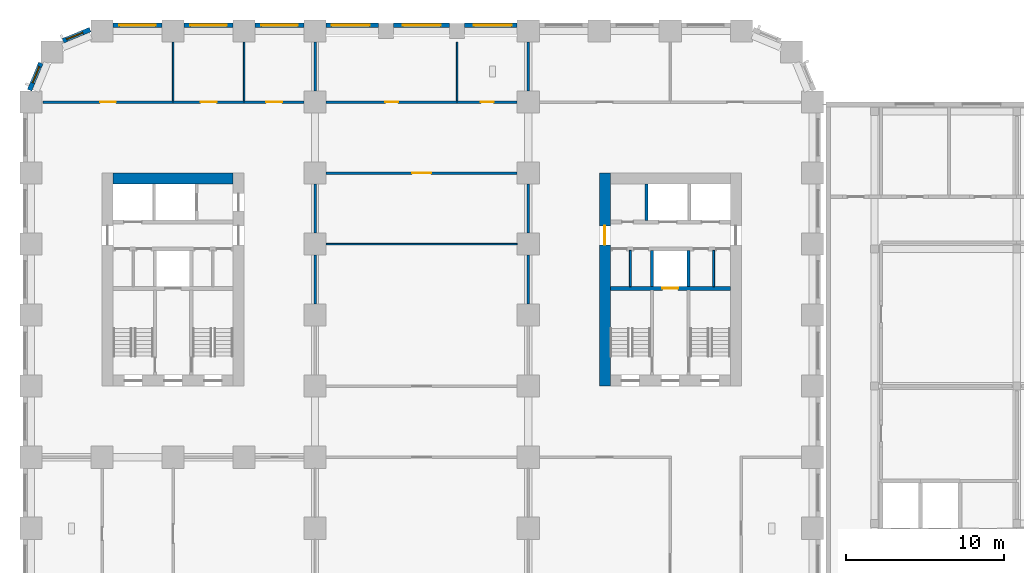
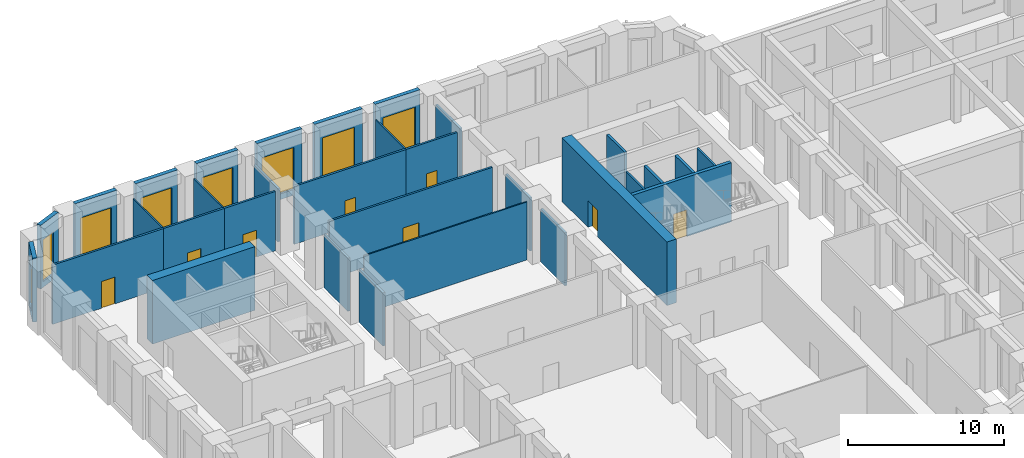
# One storey, part 7 of 19: 32 walls, 8 doors, 8 windows, 16 openings.
"""IFC4 building model written with IfcOpenShell, lengths in metres."""

from ifc_helpers import new_model, si_unit, direction, frame, frame_2d, origin, place, context, subcontext, project, spatial, rectangle, extrude, material, layer, layer_set, type_object, element, fill, save


model = new_model("IFC4")

# Units and contexts
model_context = context("Model", 3, precision=1e-05, world=origin(), true_north=direction((0.0, 1.0)))
body_context = subcontext(model_context, "Body", "Model", "MODEL_VIEW")
ifc_project = project(units=[si_unit("LENGTHUNIT", "METRE"), si_unit("AREAUNIT", "SQUARE_METRE"), si_unit("VOLUMEUNIT", "CUBIC_METRE"), si_unit("PLANEANGLEUNIT", "RADIAN"), si_unit("MASSUNIT", "GRAM", prefix="KILO")], contexts=[model_context])

# Site, building, storey
site_placement = place(None, origin())
site = spatial("IfcSite", under=ifc_project, at=site_placement, CompositionType="ELEMENT")
building_placement = place(site_placement, origin())
building = spatial("IfcBuilding", under=site, at=building_placement, Name="Girih Gate Residences", CompositionType="ELEMENT")
storey_placement = place(building_placement, frame((0.0, 0.0, 21.0)))
storey = spatial("IfcBuildingStorey", under=building, at=storey_placement, Name="L04", CompositionType="ELEMENT", Elevation=21.0)

# Walls
ifc_material_1 = material(Name="Gypsum board on steel studs", Category="steel")
ifc_layer_1 = layer(ifc_material_1, 0.14990234375)
ifc_layer_set_1 = layer_set([ifc_layer_1], Name="Compartment wall 150 mm")
wall_type_1 = type_object("IfcWallType", Name="Compartment wall 150 mm", PredefinedType="PARTITIONING", material=ifc_layer_set_1)
for number, where, z_axis, x_axis, name in (
    (1, (31.5, 32.199951171875, 0.0), (0.0, 0.0, 1.0), (0.0, 1.0, 0.0), "L04 partition"),
    (2, (18.0, 32.199951171875, 0.0), (0.0, 0.0, 1.0), (0.0, 1.0, 0.0), "L04 partition"),
):
    element("IfcWall", number, at=place(storey_placement, frame(where, z_axis=z_axis, x_axis=x_axis)), inside=storey, type_object=wall_type_1, Name=name, PredefinedType="PARTITIONING", context=body_context, shape_type="SweptSolid", body=[
        extrude(rectangle(XDim=3.10009765625, YDim=0.14990234375, at=frame_2d((1.550048828125, 0.0))), origin(), (0.0, 0.0, 1.0), 4.179931640625),
    ])

# Wall, opening, door
wall_1_placement = place(storey_placement, frame((30.800048828125, 40.5, 0.0), z_axis=(0.0, 0.0, 1.0), x_axis=(-1.0, 0.0, 0.0)))
wall_1 = element("IfcWall", 3, at=wall_1_placement, inside=storey, type_object=wall_type_1, Name="L04 partition", PredefinedType="PARTITIONING", context=body_context, shape_type="SweptSolid", body=[
    extrude(rectangle(XDim=12.10009765625, YDim=0.14990234375, at=frame_2d((6.050048828125, 0.0))), origin(), (0.0, 0.0, 1.0), 4.550048828125),
])
opening_1_placement = place(wall_1_placement, frame((5.449951171875, 0.0, 0.0)))
opening_1 = element("IfcOpeningElement", 4, at=opening_1_placement, cuts=wall_1, Name="Opening D-L04-S-003", PredefinedType="OPENING", context=body_context, shape_type="SweptSolid", body=[
    extrude(rectangle(XDim=1.199951171875, YDim=2.10009765625, at=frame_2d((0.60009765625, 1.050048828125))), frame((0.0, 0.0849609375, 0.0), z_axis=(0.0, -1.0, 0.0), x_axis=(1.0, 0.0, 0.0)), (0.0, 0.0, 1.0), 0.169921875),
])
ifc_material_2 = material(Name="Timber, fire-rated core", Category="wood")
door_type_1 = type_object("IfcDoorType", Name="Gallery fire door 1200x2100 FD30S", OperationType="SINGLE_SWING_LEFT", PredefinedType="DOOR", material=ifc_material_2)
door_1_placement = place(opening_1_placement, origin())
door_1 = element("IfcDoor", 5, at=door_1_placement, inside=storey, type_object=door_type_1, Name="Door L04-003", OperationType="SINGLE_SWING_RIGHT", OverallHeight=2.10009765625, OverallWidth=1.199951171875, PredefinedType="DOOR", context=body_context, shape_type="SweptSolid", body=[
    extrude(rectangle(XDim=1.199951171875, YDim=2.10009765625, at=frame_2d((0.60009765625, 1.050048828125))), frame((0.0, 0.02490234375, 0.0), z_axis=(0.0, -1.0, 0.0), x_axis=(1.0, 0.0, 0.0)), (0.0, 0.0, 1.0), 0.050048828125),
])
fill(opening_1, door_1)

# Walls
for number, where, z_axis, x_axis, name in (
    (6, (31.5, 36.699951171875, 0.0), (0.0, 0.0, 1.0), (0.0, 1.0, 0.0), "L04 partition"),
    (7, (18.0, 36.699951171875, 0.0), (0.0, 0.0, 1.0), (0.0, 1.0, 0.0), "L04 partition"),
):
    element("IfcWall", number, at=place(storey_placement, frame(where, z_axis=z_axis, x_axis=x_axis)), inside=storey, type_object=wall_type_1, Name=name, PredefinedType="PARTITIONING", context=body_context, shape_type="SweptSolid", body=[
        extrude(rectangle(XDim=3.10009765625, YDim=0.14990234375, at=frame_2d((1.550048828125, 0.0))), origin(), (0.0, 0.0, 1.0), 4.179931640625),
    ])

# Wall, opening, door
wall_2_placement = place(storey_placement, frame((18.699951171875, 45.0, 0.0), z_axis=(0.0, 0.0, 1.0), x_axis=(1.0, 0.0, 0.0)))
wall_2 = element("IfcWall", 8, at=wall_2_placement, inside=storey, type_object=wall_type_1, Name="L04 partition", PredefinedType="PARTITIONING", context=body_context, shape_type="SweptSolid", body=[
    extrude(rectangle(XDim=8.300048828125, YDim=0.14990234375, at=frame_2d((4.14990234375, 0.0))), origin(), (0.0, 0.0, 1.0), 4.550048828125),
])
opening_2_placement = place(wall_2_placement, frame((3.75, 0.0, 0.0)))
opening_2 = element("IfcOpeningElement", 9, at=opening_2_placement, cuts=wall_2, Name="Opening D-L04-S-004", PredefinedType="OPENING", context=body_context, shape_type="SweptSolid", body=[
    extrude(rectangle(XDim=0.800048828125, YDim=2.10009765625, at=frame_2d((0.39990234375, 1.050048828125))), frame((0.0, 0.0849609375, 0.0), z_axis=(0.0, -1.0, 0.0), x_axis=(1.0, 0.0, 0.0)), (0.0, 0.0, 1.0), 0.169921875),
])
ifc_material_3 = material(Name="Timber", Category="wood")
door_type_2 = type_object("IfcDoorType", Name="WC and store door 800x2100", OperationType="SINGLE_SWING_LEFT", PredefinedType="DOOR", material=ifc_material_3)
door_2_placement = place(opening_2_placement, origin())
door_2 = element("IfcDoor", 10, at=door_2_placement, inside=storey, type_object=door_type_2, Name="Door L04-004", OperationType="SINGLE_SWING_LEFT", OverallHeight=2.10009765625, OverallWidth=0.800048828125, PredefinedType="DOOR", context=body_context, shape_type="SweptSolid", body=[
    extrude(rectangle(XDim=0.800048828125, YDim=2.10009765625, at=frame_2d((0.39990234375, 1.050048828125))), frame((0.0, 0.02490234375, 0.0), z_axis=(0.0, -1.0, 0.0), x_axis=(1.0, 0.0, 0.0)), (0.0, 0.0, 1.0), 0.050048828125),
])
fill(opening_2, door_2)

# Wall
wall_3_placement = place(storey_placement, frame((18.0, 45.699951171875, 0.0), z_axis=(0.0, 0.0, 1.0), x_axis=(0.0, 1.0, 0.0)))
element("IfcWall", 11, at=wall_3_placement, inside=storey, type_object=wall_type_1, Name="L04 partition", PredefinedType="PARTITIONING", context=body_context, shape_type="SweptSolid", body=[
    extrude(rectangle(XDim=3.10009765625, YDim=0.14990234375, at=frame_2d((1.550048828125, 0.0))), origin(), (0.0, 0.0, 1.0), 4.179931640625),
])

# Wall, opening, door
wall_4_placement = place(storey_placement, frame((27.0, 45.0, 0.0), z_axis=(0.0, 0.0, 1.0), x_axis=(1.0, 0.0, 0.0)))
wall_4 = element("IfcWall", 12, at=wall_4_placement, inside=storey, type_object=wall_type_1, Name="L04 partition", PredefinedType="PARTITIONING", context=body_context, shape_type="SweptSolid", body=[
    extrude(rectangle(XDim=3.800048828125, YDim=0.14990234375, at=frame_2d((1.89990234375, 0.0))), origin(), (0.0, 0.0, 1.0), 4.550048828125),
])
opening_3_placement = place(wall_4_placement, frame((1.5, 0.0, 0.0)))
opening_3 = element("IfcOpeningElement", 13, at=opening_3_placement, cuts=wall_4, Name="Opening D-L04-S-005", PredefinedType="OPENING", context=body_context, shape_type="SweptSolid", body=[
    extrude(rectangle(XDim=0.800048828125, YDim=2.10009765625, at=frame_2d((0.39990234375, 1.050048828125))), frame((0.0, 0.0849609375, 0.0), z_axis=(0.0, -1.0, 0.0), x_axis=(1.0, 0.0, 0.0)), (0.0, 0.0, 1.0), 0.169921875),
])
door_3_placement = place(opening_3_placement, origin())
door_3 = element("IfcDoor", 14, at=door_3_placement, inside=storey, type_object=door_type_2, Name="Door L04-005", OperationType="SINGLE_SWING_RIGHT", OverallHeight=2.10009765625, OverallWidth=0.800048828125, PredefinedType="DOOR", context=body_context, shape_type="SweptSolid", body=[
    extrude(rectangle(XDim=0.800048828125, YDim=2.10009765625, at=frame_2d((0.39990234375, 1.050048828125))), frame((0.0, 0.02490234375, 0.0), z_axis=(0.0, -1.0, 0.0), x_axis=(1.0, 0.0, 0.0)), (0.0, 0.0, 1.0), 0.050048828125),
])
fill(opening_3, door_3)

# Wall
wall_5_placement = place(storey_placement, frame((31.5, 45.699951171875, 0.0), z_axis=(0.0, 0.0, 1.0), x_axis=(0.0, 1.0, 0.0)))
element("IfcWall", 15, at=wall_5_placement, inside=storey, type_object=wall_type_1, Name="L04 partition", PredefinedType="PARTITIONING", context=body_context, shape_type="SweptSolid", body=[
    extrude(rectangle(XDim=3.10009765625, YDim=0.14990234375, at=frame_2d((1.550048828125, 0.0))), origin(), (0.0, 0.0, 1.0), 4.179931640625),
])

# Wall, opening, door
wall_6_placement = place(storey_placement, frame((0.757568359375, 45.0, 0.0), z_axis=(0.0, 0.0, 1.0), x_axis=(1.0, 0.0, 0.0)))
wall_6 = element("IfcWall", 16, at=wall_6_placement, inside=storey, type_object=wall_type_1, Name="L04 partition", PredefinedType="PARTITIONING", context=body_context, shape_type="SweptSolid", body=[
    extrude(rectangle(XDim=8.242431640625, YDim=0.14990234375, at=frame_2d((4.12109375, 0.0))), origin(), (0.0, 0.0, 1.0), 4.64990234375),
])
opening_4_placement = place(wall_6_placement, frame((3.62109375, 0.0, 0.0)))
opening_4 = element("IfcOpeningElement", 17, at=opening_4_placement, cuts=wall_6, Name="Opening D-L04-S-015", PredefinedType="OPENING", context=body_context, shape_type="SweptSolid", body=[
    extrude(rectangle(XDim=1.0, YDim=2.10009765625, at=frame_2d((0.5, 1.050048828125))), frame((0.0, 0.0849609375, 0.0), z_axis=(0.0, -1.0, 0.0), x_axis=(1.0, 0.0, 0.0)), (0.0, 0.0, 1.0), 0.169921875),
])
door_type_3 = type_object("IfcDoorType", Name="Amenity door 1000x2100 FD30S", OperationType="SINGLE_SWING_LEFT", PredefinedType="DOOR", material=ifc_material_2)
door_4_placement = place(opening_4_placement, origin())
door_4 = element("IfcDoor", 18, at=door_4_placement, inside=storey, type_object=door_type_3, Name="Door L04-015", OperationType="SINGLE_SWING_RIGHT", OverallHeight=2.10009765625, OverallWidth=1.0, PredefinedType="DOOR", context=body_context, shape_type="SweptSolid", body=[
    extrude(rectangle(XDim=1.0, YDim=2.10009765625, at=frame_2d((0.5, 1.050048828125))), frame((0.0, 0.02490234375, 0.0), z_axis=(0.0, -1.0, 0.0), x_axis=(1.0, 0.0, 0.0)), (0.0, 0.0, 1.0), 0.050048828125),
])
fill(opening_4, door_4)

wall_7_placement = place(storey_placement, frame((9.0, 45.0, 0.0), z_axis=(0.0, 0.0, 1.0), x_axis=(1.0, 0.0, 0.0)))
wall_7 = element("IfcWall", 19, at=wall_7_placement, inside=storey, type_object=wall_type_1, Name="L04 partition", PredefinedType="PARTITIONING", context=body_context, shape_type="SweptSolid", body=[
    extrude(rectangle(XDim=4.5, YDim=0.14990234375, at=frame_2d((2.25, 0.0))), origin(), (0.0, 0.0, 1.0), 4.64990234375),
])
opening_5_placement = place(wall_7_placement, frame((1.75, 0.0, 0.0)))
opening_5 = element("IfcOpeningElement", 20, at=opening_5_placement, cuts=wall_7, Name="Opening D-L04-S-016", PredefinedType="OPENING", context=body_context, shape_type="SweptSolid", body=[
    extrude(rectangle(XDim=1.0, YDim=2.10009765625, at=frame_2d((0.5, 1.050048828125))), frame((0.0, 0.0849609375, 0.0), z_axis=(0.0, -1.0, 0.0), x_axis=(1.0, 0.0, 0.0)), (0.0, 0.0, 1.0), 0.169921875),
])
door_5_placement = place(opening_5_placement, origin())
door_5 = element("IfcDoor", 21, at=door_5_placement, inside=storey, type_object=door_type_3, Name="Door L04-016", OperationType="SINGLE_SWING_RIGHT", OverallHeight=2.10009765625, OverallWidth=1.0, PredefinedType="DOOR", context=body_context, shape_type="SweptSolid", body=[
    extrude(rectangle(XDim=1.0, YDim=2.10009765625, at=frame_2d((0.5, 1.050048828125))), frame((0.0, 0.02490234375, 0.0), z_axis=(0.0, -1.0, 0.0), x_axis=(1.0, 0.0, 0.0)), (0.0, 0.0, 1.0), 0.050048828125),
])
fill(opening_5, door_5)

wall_8_placement = place(storey_placement, frame((13.5, 45.0, 0.0), z_axis=(0.0, 0.0, 1.0), x_axis=(1.0, 0.0, 0.0)))
wall_8 = element("IfcWall", 22, at=wall_8_placement, inside=storey, type_object=wall_type_1, Name="L04 partition", PredefinedType="PARTITIONING", context=body_context, shape_type="SweptSolid", body=[
    extrude(rectangle(XDim=3.800048828125, YDim=0.14990234375, at=frame_2d((1.89990234375, 0.0))), origin(), (0.0, 0.0, 1.0), 4.64990234375),
])
opening_6_placement = place(wall_8_placement, frame((1.39990234375, 0.0, 0.0)))
opening_6 = element("IfcOpeningElement", 23, at=opening_6_placement, cuts=wall_8, Name="Opening D-L04-S-017", PredefinedType="OPENING", context=body_context, shape_type="SweptSolid", body=[
    extrude(rectangle(XDim=1.0, YDim=2.10009765625, at=frame_2d((0.5, 1.050048828125))), frame((0.0, 0.0849609375, 0.0), z_axis=(0.0, -1.0, 0.0), x_axis=(1.0, 0.0, 0.0)), (0.0, 0.0, 1.0), 0.169921875),
])
door_6_placement = place(opening_6_placement, origin())
door_6 = element("IfcDoor", 24, at=door_6_placement, inside=storey, type_object=door_type_3, Name="Door L04-017", OperationType="SINGLE_SWING_RIGHT", OverallHeight=2.10009765625, OverallWidth=1.0, PredefinedType="DOOR", context=body_context, shape_type="SweptSolid", body=[
    extrude(rectangle(XDim=1.0, YDim=2.10009765625, at=frame_2d((0.5, 1.050048828125))), frame((0.0, 0.02490234375, 0.0), z_axis=(0.0, -1.0, 0.0), x_axis=(1.0, 0.0, 0.0)), (0.0, 0.0, 1.0), 0.050048828125),
])
fill(opening_6, door_6)

# Wall
ifc_material_4 = material(Name="Concrete C60/75", Category="concrete")
ifc_layer_2 = layer(ifc_material_4, 0.699951171875)
ifc_layer_set_2 = layer_set([ifc_layer_2], Name="Core wall RC 700 Concrete C60/75")
wall_type_2 = type_object("IfcWallType", Name="Core wall RC 700 Concrete C60/75", PredefinedType="SOLIDWALL", material=ifc_layer_set_2)
wall_9_placement = place(storey_placement, frame((5.199951171875, 40.14990234375, 0.0), z_axis=(0.0, 0.0, 1.0), x_axis=(1.0, 0.0, 0.0)))
element("IfcWall", 25, at=wall_9_placement, inside=storey, type_object=wall_type_2, Name="Core wall W-N L04", PredefinedType="SOLIDWALL", context=body_context, shape_type="SweptSolid", body=[
    extrude(rectangle(XDim=7.60009765625, YDim=0.699951171875, at=frame_2d((3.800048828125, 0.0))), origin(), (0.0, 0.0, 1.0), 5.0),
])

# Wall, opening, door
wall_10_placement = place(storey_placement, frame((36.35009765625, 27.0, 0.0), z_axis=(0.0, 0.0, 1.0), x_axis=(0.0, 1.0, 0.0)))
wall_10 = element("IfcWall", 26, at=wall_10_placement, inside=storey, type_object=wall_type_2, Name="Core wall E-W L04", PredefinedType="SOLIDWALL", context=body_context, shape_type="SweptSolid", body=[
    extrude(rectangle(XDim=13.5, YDim=0.699951171875, at=frame_2d((6.75, 0.0))), origin(), (0.0, 0.0, 1.0), 5.0),
])
opening_7_placement = place(wall_10_placement, frame((8.949951171875, 0.0, 0.0)))
opening_7 = element("IfcOpeningElement", 27, at=opening_7_placement, cuts=wall_10, Name="Opening D-L04-E-014", PredefinedType="OPENING", context=body_context, shape_type="SweptSolid", body=[
    extrude(rectangle(XDim=1.199951171875, YDim=2.10009765625, at=frame_2d((0.60009765625, 1.050048828125))), frame((0.0, 0.35986328125, 0.0), z_axis=(0.0, -1.0, 0.0), x_axis=(1.0, 0.0, 0.0)), (0.0, 0.0, 1.0), 0.719970703125),
])
ifc_material_5 = material(Name="Painted steel, fire-resisting", Category="steel")
door_type_4 = type_object("IfcDoorType", Name="Fire door 1200x2100", OperationType="SINGLE_SWING_LEFT", PredefinedType="DOOR", material=ifc_material_5)
door_7_placement = place(opening_7_placement, origin())
door_7 = element("IfcDoor", 28, at=door_7_placement, inside=storey, type_object=door_type_4, Name="L04 E core door ll-w", OperationType="SINGLE_SWING_LEFT", OverallHeight=2.10009765625, OverallWidth=1.199951171875, PredefinedType="DOOR", context=body_context, shape_type="SweptSolid", body=[
    extrude(rectangle(XDim=1.199951171875, YDim=2.10009765625, at=frame_2d((0.60009765625, 1.050048828125))), frame((0.0, 0.02490234375, 0.0), z_axis=(0.0, -1.0, 0.0), x_axis=(1.0, 0.0, 0.0)), (0.0, 0.0, 1.0), 0.050048828125),
])
fill(opening_7, door_7)

ifc_material_6 = material(Name="Concrete C40/50", Category="concrete")
ifc_layer_3 = layer(ifc_material_6, 0.25)
ifc_layer_set_3 = layer_set([ifc_layer_3], Name="Lift shaft wall 250")
wall_type_3 = type_object("IfcWallType", Name="Lift shaft wall 250", PredefinedType="SOLIDWALL", material=ifc_layer_set_3)
wall_11_placement = place(storey_placement, frame((36.699951171875, 33.199951171875, 0.0), z_axis=(0.0, 0.0, 1.0), x_axis=(1.0, 0.0, 0.0)))
wall_11 = element("IfcWall", 29, at=wall_11_placement, inside=storey, type_object=wall_type_3, Name="L04 E core wall H1", PredefinedType="SOLIDWALL", context=body_context, shape_type="SweptSolid", body=[
    extrude(rectangle(XDim=7.60009765625, YDim=0.25, at=frame_2d((3.800048828125, 0.0))), origin(), (0.0, 0.0, 1.0), 4.64990234375),
])
opening_8_placement = place(wall_11_placement, frame((3.300048828125, 0.0, 0.0)))
opening_8 = element("IfcOpeningElement", 30, at=opening_8_placement, cuts=wall_11, Name="Opening D-L04-E-005", PredefinedType="OPENING", context=body_context, shape_type="SweptSolid", body=[
    extrude(rectangle(XDim=1.0, YDim=2.10009765625, at=frame_2d((0.5, 1.050048828125))), frame((0.0, 0.135009765625, 0.0), z_axis=(0.0, -1.0, 0.0), x_axis=(1.0, 0.0, 0.0)), (0.0, 0.0, 1.0), 0.27001953125),
])
ifc_material_7 = material(Name="Stainless steel, fire-resisting", Category="steel")
door_type_5 = type_object("IfcDoorType", Name="Firefighting lift landing door 1000x2100", OperationType="SLIDING_TO_LEFT", PredefinedType="DOOR", material=ifc_material_7)
door_8_placement = place(opening_8_placement, origin())
door_8 = element("IfcDoor", 31, at=door_8_placement, inside=storey, type_object=door_type_5, Name="L04 lift FF-E landing door", OperationType="SLIDING_TO_LEFT", OverallHeight=2.10009765625, OverallWidth=1.0, PredefinedType="DOOR", context=body_context, shape_type="SweptSolid", body=[
    extrude(rectangle(XDim=1.0, YDim=2.10009765625, at=frame_2d((0.5, 1.050048828125))), frame((0.0, 0.02490234375, 0.0), z_axis=(0.0, -1.0, 0.0), x_axis=(1.0, 0.0, 0.0)), (0.0, 0.0, 1.0), 0.050048828125),
])
fill(opening_8, door_8)

# Walls
ifc_layer_4 = layer(ifc_material_1, 0.10009765625)
ifc_layer_set_4 = layer_set([ifc_layer_4], Name="Partition 100 mm")
wall_type_4 = type_object("IfcWallType", Name="Partition 100 mm", PredefinedType="PARTITIONING", material=ifc_layer_set_4)
wall_12_placement = place(storey_placement, frame((18.699951171875, 36.0, 0.0), z_axis=(0.0, 0.0, 1.0), x_axis=(1.0, 0.0, 0.0)))
element("IfcWall", 32, at=wall_12_placement, inside=storey, type_object=wall_type_4, Name="L04 partition", PredefinedType="PARTITIONING", context=body_context, shape_type="SweptSolid", body=[
    extrude(rectangle(XDim=12.10009765625, YDim=0.10009765625, at=frame_2d((6.050048828125, 0.0))), origin(), (0.0, 0.0, 1.0), 4.550048828125),
])
wall_13_placement = place(storey_placement, frame((27.0, 45.074951171875, 0.0), z_axis=(0.0, 0.0, 1.0), x_axis=(0.0, 1.0, 0.0)))
element("IfcWall", 33, at=wall_13_placement, inside=storey, type_object=wall_type_4, Name="L04 partition", PredefinedType="PARTITIONING", context=body_context, shape_type="SweptSolid", body=[
    extrude(rectangle(XDim=3.72509765625, YDim=0.10009765625, at=frame_2d((1.862548828125, 0.0))), origin(), (0.0, 0.0, 1.0), 4.550048828125),
])
for number, where, z_axis, x_axis, name in (
    (34, (9.0, 45.074951171875, 0.0), (0.0, 0.0, 1.0), (0.0, 1.0, 0.0), "L04 partition"),
    (35, (13.5, 45.074951171875, 0.0), (0.0, 0.0, 1.0), (0.0, 1.0, 0.0), "L04 partition"),
):
    element("IfcWall", number, at=place(storey_placement, frame(where, z_axis=z_axis, x_axis=x_axis)), inside=storey, type_object=wall_type_4, Name=name, PredefinedType="PARTITIONING", context=body_context, shape_type="SweptSolid", body=[
        extrude(rectangle(XDim=3.72509765625, YDim=0.10009765625, at=frame_2d((1.862548828125, 0.0))), origin(), (0.0, 0.0, 1.0), 4.64990234375),
    ])

# Wall, opening, window
ifc_material_8 = material(Name="Precast concrete C50/60", Category="concrete")
ifc_layer_5 = layer(ifc_material_8, 0.080078125, Name="Outer leaf")
ifc_material_9 = material(Name="Rigid PIR insulation")
ifc_layer_6 = layer(ifc_material_9, 0.14990234375, Name="Insulation")
ifc_material_10 = material(Name="Precast concrete C40/50", Category="concrete")
ifc_layer_7 = layer(ifc_material_10, 0.070068359375, Name="Inner leaf")
ifc_layer_set_5 = layer_set([ifc_layer_5, ifc_layer_6, ifc_layer_7], Name="Precast concrete C50/60 external wall 300")
wall_type_5 = type_object("IfcWallType", Name="Precast concrete C50/60 external wall 300", PredefinedType="SOLIDWALL", material=ifc_layer_set_5)
wall_14_placement = place(storey_placement, frame((27.47509765625, 49.875, 0.0), z_axis=(0.0, 0.0, 1.0), x_axis=(1.0, 0.0, 0.0)))
wall_14 = element("IfcWall", 36, at=wall_14_placement, inside=storey, type_object=wall_type_5, Name="External wall N0450_0495.3", PredefinedType="SOLIDWALL", context=body_context, shape_type="SweptSolid", body=[
    extrude(rectangle(XDim=3.324951171875, YDim=0.300048828125, at=frame_2d((1.66259765625, 0.0))), origin(), (0.0, 0.0, 1.0), 5.0),
])
opening_9_placement = place(wall_14_placement, frame((0.574951171875, 0.0, 0.449951171875)))
opening_9 = element("IfcOpeningElement", 37, at=opening_9_placement, cuts=wall_14, Name="Opening W-3A", PredefinedType="OPENING", context=body_context, shape_type="SweptSolid", body=[
    extrude(rectangle(XDim=2.39990234375, YDim=3.300048828125, at=frame_2d((1.199951171875, 1.64990234375))), frame((0.0, 0.159912109375, 0.0), z_axis=(0.0, -1.0, 0.0), x_axis=(1.0, 0.0, 0.0)), (0.0, 0.0, 1.0), 0.320068359375),
])
ifc_material_11 = material(Name="Double glazing in aluminium frame", Category="aluminium")
window_type_1 = type_object("IfcWindowType", Name="Window W-3A 2400x3300", PartitioningType="SINGLE_PANEL", PredefinedType="WINDOW", material=ifc_material_11)
window_1_placement = place(opening_9_placement, origin())
window_1 = element("IfcWindow", 38, at=window_1_placement, inside=storey, type_object=window_type_1, Name="Window W-3A N0450_0495.3", OverallHeight=3.300048828125, OverallWidth=2.39990234375, PartitioningType="SINGLE_PANEL", PredefinedType="WINDOW", context=body_context, shape_type="SweptSolid", body=[
    extrude(rectangle(XDim=2.39990234375, YDim=3.300048828125, at=frame_2d((1.199951171875, 1.64990234375))), frame((0.0, 0.030029296875, 0.0), z_axis=(0.0, -1.0, 0.0), x_axis=(1.0, 0.0, 0.0)), (0.0, 0.0, 1.0), 0.06005859375),
])
fill(opening_9, window_1)

wall_15_placement = place(storey_placement, frame((22.97509765625, 49.875, 0.0), z_axis=(0.0, 0.0, 1.0), x_axis=(1.0, 0.0, 0.0)))
wall_15 = element("IfcWall", 39, at=wall_15_placement, inside=storey, type_object=wall_type_5, Name="External wall N0450_0495.4", PredefinedType="SOLIDWALL", context=body_context, shape_type="SweptSolid", body=[
    extrude(rectangle(XDim=3.5498046875, YDim=0.300048828125, at=frame_2d((1.77490234375, 0.0))), origin(), (0.0, 0.0, 1.0), 5.0),
])
opening_10_placement = place(wall_15_placement, frame((0.574951171875, 0.0, 0.449951171875)))
opening_10 = element("IfcOpeningElement", 40, at=opening_10_placement, cuts=wall_15, Name="Opening W-3A", PredefinedType="OPENING", context=body_context, shape_type="SweptSolid", body=[
    extrude(rectangle(XDim=2.39990234375, YDim=3.300048828125, at=frame_2d((1.199951171875, 1.64990234375))), frame((0.0, 0.159912109375, 0.0), z_axis=(0.0, -1.0, 0.0), x_axis=(1.0, 0.0, 0.0)), (0.0, 0.0, 1.0), 0.320068359375),
])
window_2_placement = place(opening_10_placement, origin())
window_2 = element("IfcWindow", 41, at=window_2_placement, inside=storey, type_object=window_type_1, Name="Window W-3A N0450_0495.4", OverallHeight=3.300048828125, OverallWidth=2.39990234375, PartitioningType="SINGLE_PANEL", PredefinedType="WINDOW", context=body_context, shape_type="SweptSolid", body=[
    extrude(rectangle(XDim=2.39990234375, YDim=3.300048828125, at=frame_2d((1.199951171875, 1.64990234375))), frame((0.0, 0.030029296875, 0.0), z_axis=(0.0, -1.0, 0.0), x_axis=(1.0, 0.0, 0.0)), (0.0, 0.0, 1.0), 0.06005859375),
])
fill(opening_10, window_2)

wall_16_placement = place(storey_placement, frame((18.699951171875, 49.875, 0.0), z_axis=(0.0, 0.0, 1.0), x_axis=(1.0, 0.0, 0.0)))
wall_16 = element("IfcWall", 42, at=wall_16_placement, inside=storey, type_object=wall_type_5, Name="External wall N0450_0495.5", PredefinedType="SOLIDWALL", context=body_context, shape_type="SweptSolid", body=[
    extrude(rectangle(XDim=3.324951171875, YDim=0.300048828125, at=frame_2d((1.66259765625, 0.0))), origin(), (0.0, 0.0, 1.0), 5.0),
])
opening_11_placement = place(wall_16_placement, frame((0.35009765625, 0.0, 0.449951171875)))
opening_11 = element("IfcOpeningElement", 43, at=opening_11_placement, cuts=wall_16, Name="Opening W-3A", PredefinedType="OPENING", context=body_context, shape_type="SweptSolid", body=[
    extrude(rectangle(XDim=2.39990234375, YDim=3.300048828125, at=frame_2d((1.199951171875, 1.64990234375))), frame((0.0, 0.159912109375, 0.0), z_axis=(0.0, -1.0, 0.0), x_axis=(1.0, 0.0, 0.0)), (0.0, 0.0, 1.0), 0.320068359375),
])
window_3_placement = place(opening_11_placement, origin())
window_3 = element("IfcWindow", 44, at=window_3_placement, inside=storey, type_object=window_type_1, Name="Window W-3A N0450_0495.5", OverallHeight=3.300048828125, OverallWidth=2.39990234375, PartitioningType="SINGLE_PANEL", PredefinedType="WINDOW", context=body_context, shape_type="SweptSolid", body=[
    extrude(rectangle(XDim=2.39990234375, YDim=3.300048828125, at=frame_2d((1.199951171875, 1.64990234375))), frame((0.0, 0.030029296875, 0.0), z_axis=(0.0, -1.0, 0.0), x_axis=(1.0, 0.0, 0.0)), (0.0, 0.0, 1.0), 0.06005859375),
])
fill(opening_11, window_3)

wall_17_placement = place(storey_placement, frame((14.199951171875, 49.875, 0.0), z_axis=(0.0, 0.0, 1.0), x_axis=(1.0, 0.0, 0.0)))
wall_17 = element("IfcWall", 45, at=wall_17_placement, inside=storey, type_object=wall_type_5, Name="External wall N0450_0495.6", PredefinedType="SOLIDWALL", context=body_context, shape_type="SweptSolid", body=[
    extrude(rectangle(XDim=3.10009765625, YDim=0.300048828125, at=frame_2d((1.550048828125, 0.0))), origin(), (0.0, 0.0, 1.0), 5.0),
])
opening_12_placement = place(wall_17_placement, frame((0.39990234375, 0.0, 0.449951171875)))
opening_12 = element("IfcOpeningElement", 46, at=opening_12_placement, cuts=wall_17, Name="Opening W-3", PredefinedType="OPENING", context=body_context, shape_type="SweptSolid", body=[
    extrude(rectangle(XDim=2.300048828125, YDim=3.300048828125, at=frame_2d((1.14990234375, 1.64990234375))), frame((0.0, 0.159912109375, 0.0), z_axis=(0.0, -1.0, 0.0), x_axis=(1.0, 0.0, 0.0)), (0.0, 0.0, 1.0), 0.320068359375),
])
window_type_2 = type_object("IfcWindowType", Name="Window W-3 2300x3300", PartitioningType="SINGLE_PANEL", PredefinedType="WINDOW", material=ifc_material_11)
window_4_placement = place(opening_12_placement, origin())
window_4 = element("IfcWindow", 47, at=window_4_placement, inside=storey, type_object=window_type_2, Name="Window W-3 N0450_0495.6", OverallHeight=3.300048828125, OverallWidth=2.300048828125, PartitioningType="SINGLE_PANEL", PredefinedType="WINDOW", context=body_context, shape_type="SweptSolid", body=[
    extrude(rectangle(XDim=2.300048828125, YDim=3.300048828125, at=frame_2d((1.14990234375, 1.64990234375))), frame((0.0, 0.030029296875, 0.0), z_axis=(0.0, -1.0, 0.0), x_axis=(1.0, 0.0, 0.0)), (0.0, 0.0, 1.0), 0.06005859375),
])
fill(opening_12, window_4)

wall_18_placement = place(storey_placement, frame((9.699951171875, 49.875, 0.0), z_axis=(0.0, 0.0, 1.0), x_axis=(1.0, 0.0, 0.0)))
wall_18 = element("IfcWall", 48, at=wall_18_placement, inside=storey, type_object=wall_type_5, Name="External wall N0450_0495.7", PredefinedType="SOLIDWALL", context=body_context, shape_type="SweptSolid", body=[
    extrude(rectangle(XDim=3.10009765625, YDim=0.300048828125, at=frame_2d((1.550048828125, 0.0))), origin(), (0.0, 0.0, 1.0), 5.0),
])
opening_13_placement = place(wall_18_placement, frame((0.39990234375, 0.0, 0.449951171875)))
opening_13 = element("IfcOpeningElement", 49, at=opening_13_placement, cuts=wall_18, Name="Opening W-3", PredefinedType="OPENING", context=body_context, shape_type="SweptSolid", body=[
    extrude(rectangle(XDim=2.300048828125, YDim=3.300048828125, at=frame_2d((1.14990234375, 1.64990234375))), frame((0.0, 0.159912109375, 0.0), z_axis=(0.0, -1.0, 0.0), x_axis=(1.0, 0.0, 0.0)), (0.0, 0.0, 1.0), 0.320068359375),
])
window_5_placement = place(opening_13_placement, origin())
window_5 = element("IfcWindow", 50, at=window_5_placement, inside=storey, type_object=window_type_2, Name="Window W-3 N0450_0495.7", OverallHeight=3.300048828125, OverallWidth=2.300048828125, PartitioningType="SINGLE_PANEL", PredefinedType="WINDOW", context=body_context, shape_type="SweptSolid", body=[
    extrude(rectangle(XDim=2.300048828125, YDim=3.300048828125, at=frame_2d((1.14990234375, 1.64990234375))), frame((0.0, 0.030029296875, 0.0), z_axis=(0.0, -1.0, 0.0), x_axis=(1.0, 0.0, 0.0)), (0.0, 0.0, 1.0), 0.06005859375),
])
fill(opening_13, window_5)

wall_19_placement = place(storey_placement, frame((5.199951171875, 49.875, 0.0), z_axis=(0.0, 0.0, 1.0), x_axis=(1.0, 0.0, 0.0)))
wall_19 = element("IfcWall", 51, at=wall_19_placement, inside=storey, type_object=wall_type_5, Name="External wall N0450_0495.8", PredefinedType="SOLIDWALL", context=body_context, shape_type="SweptSolid", body=[
    extrude(rectangle(XDim=3.10009765625, YDim=0.300048828125, at=frame_2d((1.550048828125, 0.0))), origin(), (0.0, 0.0, 1.0), 5.0),
])
opening_14_placement = place(wall_19_placement, frame((0.39990234375, 0.0, 0.449951171875)))
opening_14 = element("IfcOpeningElement", 52, at=opening_14_placement, cuts=wall_19, Name="Opening W-3", PredefinedType="OPENING", context=body_context, shape_type="SweptSolid", body=[
    extrude(rectangle(XDim=2.300048828125, YDim=3.300048828125, at=frame_2d((1.14990234375, 1.64990234375))), frame((0.0, 0.159912109375, 0.0), z_axis=(0.0, -1.0, 0.0), x_axis=(1.0, 0.0, 0.0)), (0.0, 0.0, 1.0), 0.320068359375),
])
window_6_placement = place(opening_14_placement, origin())
window_6 = element("IfcWindow", 53, at=window_6_placement, inside=storey, type_object=window_type_2, Name="Window W-3 N0450_0495.8", OverallHeight=3.300048828125, OverallWidth=2.300048828125, PartitioningType="SINGLE_PANEL", PredefinedType="WINDOW", context=body_context, shape_type="SweptSolid", body=[
    extrude(rectangle(XDim=2.300048828125, YDim=3.300048828125, at=frame_2d((1.14990234375, 1.64990234375))), frame((0.0, 0.030029296875, 0.0), z_axis=(0.0, -1.0, 0.0), x_axis=(1.0, 0.0, 0.0)), (0.0, 0.0, 1.0), 0.06005859375),
])
fill(opening_14, window_6)

wall_20_placement = place(storey_placement, frame((2.01953125, 48.87841796875, 0.0), z_axis=(0.0, 0.0, 1.0), x_axis=(0.923903565336, 0.38262540684, 0.0)))
wall_20 = element("IfcWall", 54, at=wall_20_placement, inside=storey, type_object=wall_type_5, Name="External wall NW0045_0495.0", PredefinedType="SOLIDWALL", context=body_context, shape_type="SweptSolid", body=[
    extrude(rectangle(XDim=1.864990234375, YDim=0.300048828125, at=frame_2d((0.9326171875, 0.0))), origin(), (0.0, 0.0, 1.0), 5.0),
])
opening_15_placement = place(wall_20_placement, frame((0.257568359375, 0.0, 0.449951171875)))
opening_15 = element("IfcOpeningElement", 55, at=opening_15_placement, cuts=wall_20, Name="Opening W-2A", PredefinedType="OPENING", context=body_context, shape_type="SweptSolid", body=[
    extrude(rectangle(XDim=1.10009765625, YDim=3.300048828125, at=frame_2d((0.550048828125, 1.64990234375))), frame((0.0, 0.159912109375, 0.0), z_axis=(0.0, -1.0, 0.0), x_axis=(1.0, 0.0, 0.0)), (0.0, 0.0, 1.0), 0.320068359375),
])
window_type_3 = type_object("IfcWindowType", Name="Window W-2A 1100x3300", PartitioningType="SINGLE_PANEL", PredefinedType="WINDOW", material=ifc_material_11)
window_7_placement = place(opening_15_placement, origin())
window_7 = element("IfcWindow", 56, at=window_7_placement, inside=storey, type_object=window_type_3, Name="Window W-2A NW0045_0495.0", OverallHeight=3.300048828125, OverallWidth=1.10009765625, PartitioningType="SINGLE_PANEL", PredefinedType="WINDOW", context=body_context, shape_type="SweptSolid", body=[
    extrude(rectangle(XDim=1.10009765625, YDim=3.300048828125, at=frame_2d((0.550048828125, 1.64990234375))), frame((0.0, 0.030029296875, 0.0), z_axis=(0.0, -1.0, 0.0), x_axis=(1.0, 0.0, 0.0)), (0.0, 0.0, 1.0), 0.06005859375),
])
fill(opening_15, window_7)

wall_21_placement = place(storey_placement, frame((-0.09228515625, 45.75732421875, 0.0), z_axis=(0.0, 0.0, 1.0), x_axis=(0.382737135771, 0.923857286003, 0.0)))
wall_21 = element("IfcWall", 57, at=wall_21_placement, inside=storey, type_object=wall_type_5, Name="External wall NW0013_0482.0", PredefinedType="SOLIDWALL", context=body_context, shape_type="SweptSolid", body=[
    extrude(rectangle(XDim=1.865234375, YDim=0.300048828125, at=frame_2d((0.9326171875, 0.0))), origin(), (0.0, 0.0, 1.0), 5.0),
])
opening_16_placement = place(wall_21_placement, frame((0.507568359375, 0.0, 0.449951171875)))
opening_16 = element("IfcOpeningElement", 58, at=opening_16_placement, cuts=wall_21, Name="Opening W-2A", PredefinedType="OPENING", context=body_context, shape_type="SweptSolid", body=[
    extrude(rectangle(XDim=1.10009765625, YDim=3.300048828125, at=frame_2d((0.550048828125, 1.64990234375))), frame((0.0, 0.159912109375, 0.0), z_axis=(0.0, -1.0, 0.0), x_axis=(1.0, 0.0, 0.0)), (0.0, 0.0, 1.0), 0.320068359375),
])
window_8_placement = place(opening_16_placement, origin())
window_8 = element("IfcWindow", 59, at=window_8_placement, inside=storey, type_object=window_type_3, Name="Window W-2A NW0013_0482.0", OverallHeight=3.300048828125, OverallWidth=1.10009765625, PartitioningType="SINGLE_PANEL", PredefinedType="WINDOW", context=body_context, shape_type="SweptSolid", body=[
    extrude(rectangle(XDim=1.10009765625, YDim=3.300048828125, at=frame_2d((0.550048828125, 1.64990234375))), frame((0.0, 0.030029296875, 0.0), z_axis=(0.0, -1.0, 0.0), x_axis=(1.0, 0.0, 0.0)), (0.0, 0.0, 1.0), 0.06005859375),
])
fill(opening_16, window_8)

# Walls
ifc_layer_8 = layer(ifc_material_6, 0.175048828125)
ifc_layer_set_6 = layer_set([ifc_layer_8], Name="Riser shaft wall 175")
wall_type_6 = type_object("IfcWallType", Name="Riser shaft wall 175", PredefinedType="SOLIDWALL", material=ifc_layer_set_6)
wall_22_placement = place(storey_placement, frame((39.0, 37.5, 0.0), z_axis=(0.0, 0.0, 1.0), x_axis=(0.0, 1.0, 0.0)))
element("IfcWall", 60, at=wall_22_placement, inside=storey, type_object=wall_type_6, Name="L04 E core wall V2c", PredefinedType="SOLIDWALL", context=body_context, shape_type="SweptSolid", body=[
    extrude(rectangle(XDim=2.300048828125, YDim=0.175048828125, at=frame_2d((1.14990234375, 0.0))), origin(), (0.0, 0.0, 1.0), 4.64990234375),
])
ifc_layer_9 = layer(ifc_material_6, 0.199951171875)
ifc_layer_set_7 = layer_set([ifc_layer_9], Name="Shaft wall 200")
wall_type_7 = type_object("IfcWallType", Name="Shaft wall 200", PredefinedType="SOLIDWALL", material=ifc_layer_set_7)
for number, where, z_axis, x_axis, name in (
    (61, (41.64990234375, 33.300048828125, 0.0), (0.0, 0.0, 1.0), (0.0, 1.0, 0.0), "L04 E core wall V1b"),
    (62, (39.35009765625, 33.300048828125, 0.0), (0.0, 0.0, 1.0), (0.0, 1.0, 0.0), "L04 E core wall V2b"),
):
    element("IfcWall", number, at=place(storey_placement, frame(where, z_axis=z_axis, x_axis=x_axis)), inside=storey, type_object=wall_type_7, Name=name, PredefinedType="SOLIDWALL", context=body_context, shape_type="SweptSolid", body=[
        extrude(rectangle(XDim=2.300048828125, YDim=0.199951171875, at=frame_2d((1.14990234375, 0.0))), origin(), (0.0, 0.0, 1.0), 4.64990234375),
    ])
ifc_material_12 = material(Name="Calcium silicate blockwork", Category="masonry")
ifc_layer_10 = layer(ifc_material_12, 0.125)
ifc_layer_set_8 = layer_set([ifc_layer_10], Name="Store partition 125")
wall_type_8 = type_object("IfcWallType", Name="Store partition 125", PredefinedType="PARTITIONING", material=ifc_layer_set_8)
for number, where, z_axis, x_axis, name in (
    (63, (43.25, 33.300048828125, 0.0), (0.0, 0.0, 1.0), (0.0, 1.0, 0.0), "L04 E core wall SHR1"),
    (64, (37.97509765625, 33.300048828125, 0.0), (0.0, 0.0, 1.0), (0.0, 1.0, 0.0), "L04 E core wall SHR2"),
):
    element("IfcWall", number, at=place(storey_placement, frame(where, z_axis=z_axis, x_axis=x_axis)), inside=storey, type_object=wall_type_8, Name=name, PredefinedType="PARTITIONING", context=body_context, shape_type="SweptSolid", body=[
        extrude(rectangle(XDim=2.300048828125, YDim=0.125, at=frame_2d((1.14990234375, 0.0))), origin(), (0.0, 0.0, 1.0), 4.64990234375),
    ])

save(model, "model.ifc")
